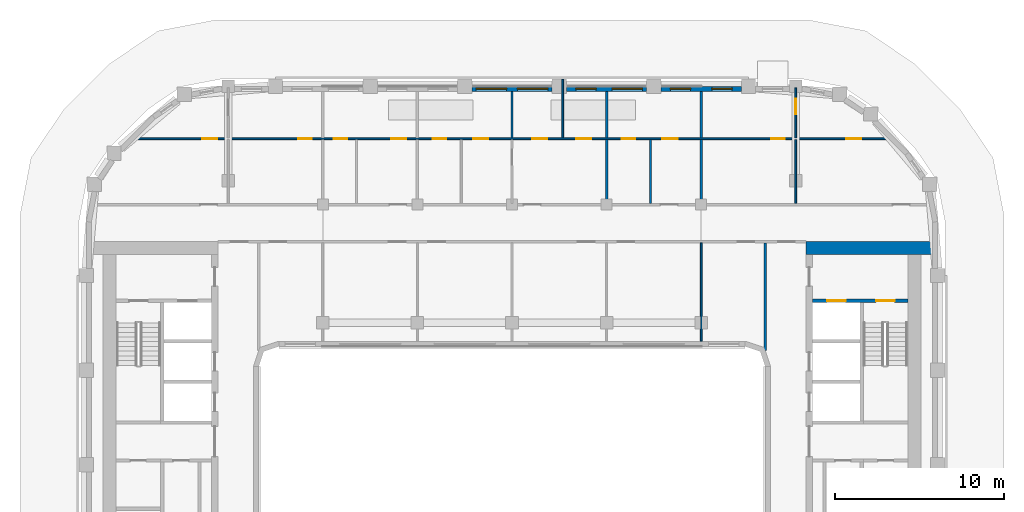
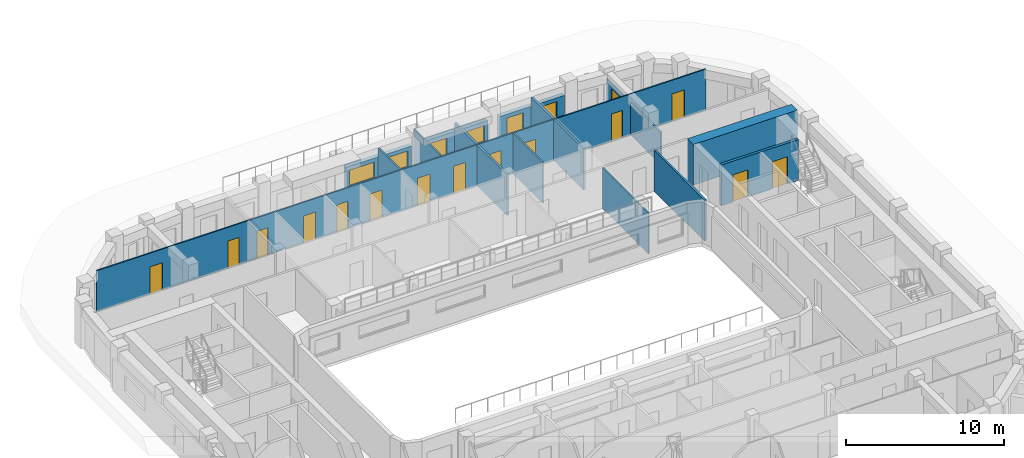
# One storey, part 8 of 16: 17 walls, 15 doors, 6 windows, 21 openings.
"""IFC4 building model written with IfcOpenShell, lengths in metres."""

from ifc_helpers import new_model, si_unit, direction, frame, frame_2d, origin, place, context, subcontext, project, spatial, rectangle, extrude, material, layer, layer_set, type_object, element, fill, save


model = new_model("IFC4")

# Units and contexts
model_context = context("Model", 3, precision=1e-05, world=origin(), true_north=direction((0.0, 1.0)))
body_context = subcontext(model_context, "Body", "Model", "MODEL_VIEW")
ifc_project = project(units=[si_unit("LENGTHUNIT", "METRE"), si_unit("AREAUNIT", "SQUARE_METRE"), si_unit("VOLUMEUNIT", "CUBIC_METRE"), si_unit("PLANEANGLEUNIT", "RADIAN"), si_unit("MASSUNIT", "GRAM", prefix="KILO")], contexts=[model_context])

# Site, building, storey
site_placement = place(None, origin())
site = spatial("IfcSite", under=ifc_project, at=site_placement, CompositionType="ELEMENT")
building_placement = place(site_placement, origin())
building = spatial("IfcBuilding", under=site, at=building_placement, Name="Kiln Ring Residences", CompositionType="ELEMENT")
storey_placement = place(building_placement, frame((0.0, 0.0, 227.39990234375)))
storey = spatial("IfcBuildingStorey", under=building, at=storey_placement, Name="L59", CompositionType="ELEMENT", Elevation=227.39990234375)

# Wall, openings, doors
ifc_material_1 = material(Name="Concrete C40/50", Category="concrete")
ifc_layer_1 = layer(ifc_material_1, 0.199951171875)
ifc_layer_set_1 = layer_set([ifc_layer_1], Name="CORE-WALL-RC200")
wall_type_1 = type_object("IfcWallType", Name="CORE-WALL-RC200", PredefinedType="SHEAR", material=ifc_layer_set_1)
wall_1_placement = place(storey_placement, frame((17.800048828125, 9.699951171875, 0.0), z_axis=(0.0, 0.0, 1.0), x_axis=(1.0, 0.0, 0.0)))
wall_1 = element("IfcWall", 1, at=wall_1_placement, inside=storey, type_object=wall_type_1, Name="Core wall east L59 9", PredefinedType="SHEAR", context=body_context, shape_type="SweptSolid", body=[
    extrude(rectangle(XDim=5.64990234375, YDim=0.199951171875, at=frame_2d((2.824951171875, 0.0))), origin(), (0.0, 0.0, 1.0), 3.150146484375),
])
opening_1_placement = place(wall_1_placement, frame((0.85009765625, 0.0, 0.0)))
opening_1 = element("IfcOpeningElement", 2, at=opening_1_placement, cuts=wall_1, Name="Opening L59-CE06", PredefinedType="OPENING", context=body_context, shape_type="SweptSolid", body=[
    extrude(rectangle(XDim=1.10009765625, YDim=2.10009765625, at=frame_2d((0.550048828125, 1.050048828125))), frame((0.0, 0.10986328125, 0.0), z_axis=(0.0, -1.0, 0.0), x_axis=(1.0, 0.0, 0.0)), (0.0, 0.0, 1.0), 0.219970703125),
])
opening_2_placement = place(wall_1_placement, frame((3.75, 0.0, 0.0)))
opening_2 = element("IfcOpeningElement", 3, at=opening_2_placement, cuts=wall_1, Name="Opening L59-CE09", PredefinedType="OPENING", context=body_context, shape_type="SweptSolid", body=[
    extrude(rectangle(XDim=1.10009765625, YDim=2.10009765625, at=frame_2d((0.550048828125, 1.050048828125))), frame((0.0, 0.10986328125, 0.0), z_axis=(0.0, -1.0, 0.0), x_axis=(1.0, 0.0, 0.0)), (0.0, 0.0, 1.0), 0.219970703125),
])
ifc_material_2 = material(Name="Steel door leaf", Category="steel")
door_type_1 = type_object("IfcDoorType", Name="CORE-DOOR-LD", OperationType="DOUBLE_DOOR_SLIDING", PredefinedType="DOOR", material=ifc_material_2)
door_1_placement = place(opening_1_placement, origin())
door_1 = element("IfcDoor", 4, at=door_1_placement, inside=storey, type_object=door_type_1, Name="LD E-FF L59-CE06", OperationType="DOUBLE_DOOR_SLIDING", OverallHeight=2.10009765625, OverallWidth=1.10009765625, PredefinedType="DOOR", context=body_context, shape_type="SweptSolid", body=[
    extrude(rectangle(XDim=1.10009765625, YDim=2.10009765625, at=frame_2d((0.550048828125, 1.050048828125))), frame((0.0, 0.02490234375, 0.0), z_axis=(0.0, -1.0, 0.0), x_axis=(1.0, 0.0, 0.0)), (0.0, 0.0, 1.0), 0.050048828125),
])
fill(opening_1, door_1)
ifc_material_3 = material(Name="Steel door leaf", Category="steel")
door_type_2 = type_object("IfcDoorType", Name="CORE-DOOR-STAIR", OperationType="SINGLE_SWING_LEFT", PredefinedType="DOOR", material=ifc_material_3)
door_2_placement = place(opening_2_placement, origin())
door_2 = element("IfcDoor", 5, at=door_2_placement, inside=storey, type_object=door_type_2, Name="Stair E-STN L59-CE09", OperationType="SINGLE_SWING_RIGHT", OverallHeight=2.10009765625, OverallWidth=1.10009765625, PredefinedType="DOOR", context=body_context, shape_type="SweptSolid", body=[
    extrude(rectangle(XDim=1.10009765625, YDim=2.10009765625, at=frame_2d((0.550048828125, 1.050048828125))), frame((0.0, 0.02490234375, 0.0), z_axis=(0.0, -1.0, 0.0), x_axis=(1.0, 0.0, 0.0)), (0.0, 0.0, 1.0), 0.050048828125),
])
fill(opening_2, door_2)

# Wall
ifc_material_4 = material(Name="Concrete C60/75", Category="concrete")
ifc_layer_2 = layer(ifc_material_4, 0.75)
ifc_layer_set_2 = layer_set([ifc_layer_2], Name="CORE-WALL-RC750")
wall_type_2 = type_object("IfcWallType", Name="CORE-WALL-RC750", PredefinedType="SHEAR", material=ifc_layer_set_2)
wall_2_placement = place(storey_placement, frame((17.39990234375, 12.824951171875, 0.0), z_axis=(0.0, 0.0, 1.0), x_axis=(1.0, 0.0, 0.0)))
element("IfcWall", 6, at=wall_2_placement, inside=storey, type_object=wall_type_2, Name="Core wall east L59 4", PredefinedType="SHEAR", context=body_context, shape_type="SweptSolid", body=[
    extrude(rectangle(XDim=7.60009765625, YDim=0.75, at=frame_2d((3.800048828125, 0.0))), origin(), (0.0, 0.0, 1.0), 3.150146484375),
])

# Wall, openings, windows
ifc_material_5 = material(Name="Brick masonry, dark clay brick", Category="masonry")
ifc_layer_3 = layer(ifc_material_5, 0.300048828125)
ifc_layer_set_3 = layer_set([ifc_layer_3], Name="EW-300 BRICK WALL")
wall_type_3 = type_object("IfcWallType", Name="EW-300 BRICK WALL", PredefinedType="SOLIDWALL", material=ifc_layer_set_3)
wall_3_placement = place(storey_placement, frame((13.574951171875, 22.25, 0.0), z_axis=(0.0, 0.0, 1.0), x_axis=(-1.0, 0.0, 0.0)))
wall_3 = element("IfcWall", 7, at=wall_3_placement, inside=storey, type_object=wall_type_3, Name="Facade wall L59 28", PredefinedType="SOLIDWALL", context=body_context, shape_type="SweptSolid", body=[
    extrude(rectangle(XDim=4.75, YDim=0.300048828125, at=frame_2d((2.375, 0.0))), origin(), (0.0, 0.0, 1.0), 2.4501953125),
])
opening_3_placement = place(wall_3_placement, frame((0.550048828125, 0.0, 0.60009765625)))
opening_3 = element("IfcOpeningElement", 8, at=opening_3_placement, cuts=wall_3, Name="Opening W1", PredefinedType="OPENING", context=body_context, shape_type="SweptSolid", body=[
    extrude(rectangle(XDim=1.199951171875, YDim=1.550048828125, at=frame_2d((0.60009765625, 0.77490234375))), frame((0.0, 0.159912109375, 0.0), z_axis=(0.0, -1.0, 0.0), x_axis=(1.0, 0.0, 0.0)), (0.0, 0.0, 1.0), 0.320068359375),
])
opening_4_placement = place(wall_3_placement, frame((3.0, 0.0, 0.60009765625)))
opening_4 = element("IfcOpeningElement", 9, at=opening_4_placement, cuts=wall_3, Name="Opening W1", PredefinedType="OPENING", context=body_context, shape_type="SweptSolid", body=[
    extrude(rectangle(XDim=1.199951171875, YDim=1.550048828125, at=frame_2d((0.60009765625, 0.77490234375))), frame((0.0, 0.159912109375, 0.0), z_axis=(0.0, -1.0, 0.0), x_axis=(1.0, 0.0, 0.0)), (0.0, 0.0, 1.0), 0.320068359375),
])
ifc_material_6 = material(Name="Aluminium frame with double glazing", Category="aluminium")
window_type_1 = type_object("IfcWindowType", Name="WINDOW 1200 x 1550", PartitioningType="SINGLE_PANEL", PredefinedType="WINDOW", material=ifc_material_6)
window_1_placement = place(opening_3_placement, origin())
window_1 = element("IfcWindow", 10, at=window_1_placement, inside=storey, type_object=window_type_1, Name="Window L59 21", OverallHeight=1.550048828125, OverallWidth=1.199951171875, PartitioningType="SINGLE_PANEL", PredefinedType="WINDOW", context=body_context, shape_type="SweptSolid", body=[
    extrude(rectangle(XDim=1.199951171875, YDim=1.550048828125, at=frame_2d((0.60009765625, 0.77490234375))), frame((0.0, 0.030029296875, 0.0), z_axis=(0.0, -1.0, 0.0), x_axis=(1.0, 0.0, 0.0)), (0.0, 0.0, 1.0), 0.06005859375),
])
fill(opening_3, window_1)
window_2_placement = place(opening_4_placement, origin())
window_2 = element("IfcWindow", 11, at=window_2_placement, inside=storey, type_object=window_type_1, Name="Window L59 22", OverallHeight=1.550048828125, OverallWidth=1.199951171875, PartitioningType="SINGLE_PANEL", PredefinedType="WINDOW", context=body_context, shape_type="SweptSolid", body=[
    extrude(rectangle(XDim=1.199951171875, YDim=1.550048828125, at=frame_2d((0.60009765625, 0.77490234375))), frame((0.0, 0.030029296875, 0.0), z_axis=(0.0, -1.0, 0.0), x_axis=(1.0, 0.0, 0.0)), (0.0, 0.0, 1.0), 0.06005859375),
])
fill(opening_4, window_2)

wall_4_placement = place(storey_placement, frame((7.97509765625, 22.25, 0.0), z_axis=(0.0, 0.0, 1.0), x_axis=(-1.0, 0.0, 0.0)))
wall_4 = element("IfcWall", 12, at=wall_4_placement, inside=storey, type_object=wall_type_3, Name="Facade wall L59 29", PredefinedType="SOLIDWALL", context=body_context, shape_type="SweptSolid", body=[
    extrude(rectangle(XDim=4.75, YDim=0.300048828125, at=frame_2d((2.375, 0.0))), origin(), (0.0, 0.0, 1.0), 2.4501953125),
])
opening_5_placement = place(wall_4_placement, frame((0.25, 0.0, 0.89990234375)))
opening_5 = element("IfcOpeningElement", 13, at=opening_5_placement, cuts=wall_4, Name="Opening W2", PredefinedType="OPENING", context=body_context, shape_type="SweptSolid", body=[
    extrude(rectangle(XDim=1.800048828125, YDim=1.25, at=frame_2d((0.89990234375, 0.625))), frame((0.0, 0.159912109375, 0.0), z_axis=(0.0, -1.0, 0.0), x_axis=(1.0, 0.0, 0.0)), (0.0, 0.0, 1.0), 0.320068359375),
])
opening_6_placement = place(wall_4_placement, frame((3.0, 0.0, 0.60009765625)))
opening_6 = element("IfcOpeningElement", 14, at=opening_6_placement, cuts=wall_4, Name="Opening W1", PredefinedType="OPENING", context=body_context, shape_type="SweptSolid", body=[
    extrude(rectangle(XDim=1.199951171875, YDim=1.550048828125, at=frame_2d((0.60009765625, 0.77490234375))), frame((0.0, 0.159912109375, 0.0), z_axis=(0.0, -1.0, 0.0), x_axis=(1.0, 0.0, 0.0)), (0.0, 0.0, 1.0), 0.320068359375),
])
window_3_placement = place(opening_6_placement, origin())
window_3 = element("IfcWindow", 15, at=window_3_placement, inside=storey, type_object=window_type_1, Name="Window L59 24", OverallHeight=1.550048828125, OverallWidth=1.199951171875, PartitioningType="SINGLE_PANEL", PredefinedType="WINDOW", context=body_context, shape_type="SweptSolid", body=[
    extrude(rectangle(XDim=1.199951171875, YDim=1.550048828125, at=frame_2d((0.60009765625, 0.77490234375))), frame((0.0, 0.030029296875, 0.0), z_axis=(0.0, -1.0, 0.0), x_axis=(1.0, 0.0, 0.0)), (0.0, 0.0, 1.0), 0.06005859375),
])
fill(opening_6, window_3)
ifc_material_7 = material(Name="Aluminium frame with double glazing", Category="aluminium")
window_type_2 = type_object("IfcWindowType", Name="WINDOW 1800 x 1250", PartitioningType="SINGLE_PANEL", PredefinedType="WINDOW", material=ifc_material_7)
window_4_placement = place(opening_5_placement, origin())
window_4 = element("IfcWindow", 16, at=window_4_placement, inside=storey, type_object=window_type_2, Name="Window L59 23", OverallHeight=1.25, OverallWidth=1.800048828125, PartitioningType="SINGLE_PANEL", PredefinedType="WINDOW", context=body_context, shape_type="SweptSolid", body=[
    extrude(rectangle(XDim=1.800048828125, YDim=1.25, at=frame_2d((0.89990234375, 0.625))), frame((0.0, 0.030029296875, 0.0), z_axis=(0.0, -1.0, 0.0), x_axis=(1.0, 0.0, 0.0)), (0.0, 0.0, 1.0), 0.06005859375),
])
fill(opening_5, window_4)

wall_5_placement = place(storey_placement, frame((2.375, 22.25, 0.0), z_axis=(0.0, 0.0, 1.0), x_axis=(-1.0, 0.0, 0.0)))
wall_5 = element("IfcWall", 17, at=wall_5_placement, inside=storey, type_object=wall_type_3, Name="Facade wall L59 30", PredefinedType="SOLIDWALL", context=body_context, shape_type="SweptSolid", body=[
    extrude(rectangle(XDim=4.75, YDim=0.300048828125, at=frame_2d((2.375, 0.0))), origin(), (0.0, 0.0, 1.0), 2.4501953125),
])
opening_7_placement = place(wall_5_placement, frame((0.25, 0.0, 0.89990234375)))
opening_7 = element("IfcOpeningElement", 18, at=opening_7_placement, cuts=wall_5, Name="Opening W2", PredefinedType="OPENING", context=body_context, shape_type="SweptSolid", body=[
    extrude(rectangle(XDim=1.800048828125, YDim=1.25, at=frame_2d((0.89990234375, 0.625))), frame((0.0, 0.159912109375, 0.0), z_axis=(0.0, -1.0, 0.0), x_axis=(1.0, 0.0, 0.0)), (0.0, 0.0, 1.0), 0.320068359375),
])
opening_8_placement = place(wall_5_placement, frame((2.699951171875, 0.0, 0.89990234375)))
opening_8 = element("IfcOpeningElement", 19, at=opening_8_placement, cuts=wall_5, Name="Opening W2", PredefinedType="OPENING", context=body_context, shape_type="SweptSolid", body=[
    extrude(rectangle(XDim=1.800048828125, YDim=1.25, at=frame_2d((0.89990234375, 0.625))), frame((0.0, 0.159912109375, 0.0), z_axis=(0.0, -1.0, 0.0), x_axis=(1.0, 0.0, 0.0)), (0.0, 0.0, 1.0), 0.320068359375),
])
window_5_placement = place(opening_7_placement, origin())
window_5 = element("IfcWindow", 20, at=window_5_placement, inside=storey, type_object=window_type_2, Name="Window L59 25", OverallHeight=1.25, OverallWidth=1.800048828125, PartitioningType="SINGLE_PANEL", PredefinedType="WINDOW", context=body_context, shape_type="SweptSolid", body=[
    extrude(rectangle(XDim=1.800048828125, YDim=1.25, at=frame_2d((0.89990234375, 0.625))), frame((0.0, 0.030029296875, 0.0), z_axis=(0.0, -1.0, 0.0), x_axis=(1.0, 0.0, 0.0)), (0.0, 0.0, 1.0), 0.06005859375),
])
fill(opening_7, window_5)
window_6_placement = place(opening_8_placement, origin())
window_6 = element("IfcWindow", 21, at=window_6_placement, inside=storey, type_object=window_type_2, Name="Window L59 26", OverallHeight=1.25, OverallWidth=1.800048828125, PartitioningType="SINGLE_PANEL", PredefinedType="WINDOW", context=body_context, shape_type="SweptSolid", body=[
    extrude(rectangle(XDim=1.800048828125, YDim=1.25, at=frame_2d((0.89990234375, 0.625))), frame((0.0, 0.030029296875, 0.0), z_axis=(0.0, -1.0, 0.0), x_axis=(1.0, 0.0, 0.0)), (0.0, 0.0, 1.0), 0.06005859375),
])
fill(opening_8, window_6)

# Wall, openings, doors
ifc_material_8 = material(Name="Gypsum board on steel studs", Category="steel")
ifc_layer_4 = layer(ifc_material_8, 0.10009765625)
ifc_layer_set_4 = layer_set([ifc_layer_4], Name="PARTITION-100")
wall_type_4 = type_object("IfcWallType", Name="PARTITION-100", PredefinedType="PARTITIONING", material=ifc_layer_set_4)
wall_6_placement = place(storey_placement, frame((-22.255615234375, 19.300048828125, 0.0), z_axis=(0.0, 0.0, 1.0), x_axis=(1.0, 0.0, 0.0)))
wall_6 = element("IfcWall", 22, at=wall_6_placement, inside=storey, type_object=wall_type_4, Name="Partition 006", PredefinedType="PARTITIONING", context=body_context, shape_type="SweptSolid", body=[
    extrude(rectangle(XDim=44.51123046875, YDim=0.10009765625, at=frame_2d((22.255615234375, 0.0))), origin(), (0.0, 0.0, 1.0), 3.150146484375),
])
opening_9_placement = place(wall_6_placement, frame((9.605712890625, 0.0, 0.0)))
opening_9 = element("IfcOpeningElement", 23, at=opening_9_placement, cuts=wall_6, Name="Opening L59-D012", PredefinedType="OPENING", context=body_context, shape_type="SweptSolid", body=[
    extrude(rectangle(XDim=0.800048828125, YDim=2.10009765625, at=frame_2d((0.39990234375, 1.050048828125))), frame((0.0, 0.06005859375, 0.0), z_axis=(0.0, -1.0, 0.0), x_axis=(1.0, 0.0, 0.0)), (0.0, 0.0, 1.0), 0.1201171875),
])
opening_10_placement = place(wall_6_placement, frame((3.90576171875, 0.0, 0.0)))
opening_10 = element("IfcOpeningElement", 24, at=opening_10_placement, cuts=wall_6, Name="Opening L59-D013", PredefinedType="OPENING", context=body_context, shape_type="SweptSolid", body=[
    extrude(rectangle(XDim=0.89990234375, YDim=2.10009765625, at=frame_2d((0.449951171875, 1.050048828125))), frame((0.0, 0.06005859375, 0.0), z_axis=(0.0, -1.0, 0.0), x_axis=(1.0, 0.0, 0.0)), (0.0, 0.0, 1.0), 0.1201171875),
])
opening_11_placement = place(wall_6_placement, frame((11.705810546875, 0.0, 0.0)))
opening_11 = element("IfcOpeningElement", 25, at=opening_11_placement, cuts=wall_6, Name="Opening L59-D016", PredefinedType="OPENING", context=body_context, shape_type="SweptSolid", body=[
    extrude(rectangle(XDim=0.800048828125, YDim=2.10009765625, at=frame_2d((0.39990234375, 1.050048828125))), frame((0.0, 0.06005859375, 0.0), z_axis=(0.0, -1.0, 0.0), x_axis=(1.0, 0.0, 0.0)), (0.0, 0.0, 1.0), 0.1201171875),
])
opening_12_placement = place(wall_6_placement, frame((15.105712890625, 0.0, 0.0)))
opening_12 = element("IfcOpeningElement", 26, at=opening_12_placement, cuts=wall_6, Name="Opening L59-D017", PredefinedType="OPENING", context=body_context, shape_type="SweptSolid", body=[
    extrude(rectangle(XDim=0.89990234375, YDim=2.10009765625, at=frame_2d((0.449951171875, 1.050048828125))), frame((0.0, 0.06005859375, 0.0), z_axis=(0.0, -1.0, 0.0), x_axis=(1.0, 0.0, 0.0)), (0.0, 0.0, 1.0), 0.1201171875),
])
opening_13_placement = place(wall_6_placement, frame((17.5556640625, 0.0, 0.0)))
opening_13 = element("IfcOpeningElement", 27, at=opening_13_placement, cuts=wall_6, Name="Opening L59-D020", PredefinedType="OPENING", context=body_context, shape_type="SweptSolid", body=[
    extrude(rectangle(XDim=0.800048828125, YDim=2.10009765625, at=frame_2d((0.39990234375, 1.050048828125))), frame((0.0, 0.06005859375, 0.0), z_axis=(0.0, -1.0, 0.0), x_axis=(1.0, 0.0, 0.0)), (0.0, 0.0, 1.0), 0.1201171875),
])
opening_14_placement = place(wall_6_placement, frame((19.955810546875, 0.0, 0.0)))
opening_14 = element("IfcOpeningElement", 28, at=opening_14_placement, cuts=wall_6, Name="Opening L59-D021", PredefinedType="OPENING", context=body_context, shape_type="SweptSolid", body=[
    extrude(rectangle(XDim=0.89990234375, YDim=2.10009765625, at=frame_2d((0.449951171875, 1.050048828125))), frame((0.0, 0.06005859375, 0.0), z_axis=(0.0, -1.0, 0.0), x_axis=(1.0, 0.0, 0.0)), (0.0, 0.0, 1.0), 0.1201171875),
])
opening_15_placement = place(wall_6_placement, frame((23.455810546875, 0.0, 0.0)))
opening_15 = element("IfcOpeningElement", 29, at=opening_15_placement, cuts=wall_6, Name="Opening L59-D022", PredefinedType="OPENING", context=body_context, shape_type="SweptSolid", body=[
    extrude(rectangle(XDim=0.89990234375, YDim=2.10009765625, at=frame_2d((0.449951171875, 1.050048828125))), frame((0.0, 0.06005859375, 0.0), z_axis=(0.0, -1.0, 0.0), x_axis=(1.0, 0.0, 0.0)), (0.0, 0.0, 1.0), 0.1201171875),
])
opening_16_placement = place(wall_6_placement, frame((26.0556640625, 0.0, 0.0)))
opening_16 = element("IfcOpeningElement", 30, at=opening_16_placement, cuts=wall_6, Name="Opening L59-D023", PredefinedType="OPENING", context=body_context, shape_type="SweptSolid", body=[
    extrude(rectangle(XDim=0.89990234375, YDim=2.10009765625, at=frame_2d((0.449951171875, 1.050048828125))), frame((0.0, 0.06005859375, 0.0), z_axis=(0.0, -1.0, 0.0), x_axis=(1.0, 0.0, 0.0)), (0.0, 0.0, 1.0), 0.1201171875),
])
opening_17_placement = place(wall_6_placement, frame((28.755615234375, 0.0, 0.0)))
opening_17 = element("IfcOpeningElement", 31, at=opening_17_placement, cuts=wall_6, Name="Opening L59-D025", PredefinedType="OPENING", context=body_context, shape_type="SweptSolid", body=[
    extrude(rectangle(XDim=0.800048828125, YDim=2.10009765625, at=frame_2d((0.39990234375, 1.050048828125))), frame((0.0, 0.06005859375, 0.0), z_axis=(0.0, -1.0, 0.0), x_axis=(1.0, 0.0, 0.0)), (0.0, 0.0, 1.0), 0.1201171875),
])
opening_18_placement = place(wall_6_placement, frame((31.15576171875, 0.0, 0.0)))
opening_18 = element("IfcOpeningElement", 32, at=opening_18_placement, cuts=wall_6, Name="Opening L59-D026", PredefinedType="OPENING", context=body_context, shape_type="SweptSolid", body=[
    extrude(rectangle(XDim=0.89990234375, YDim=2.10009765625, at=frame_2d((0.449951171875, 1.050048828125))), frame((0.0, 0.06005859375, 0.0), z_axis=(0.0, -1.0, 0.0), x_axis=(1.0, 0.0, 0.0)), (0.0, 0.0, 1.0), 0.1201171875),
])
opening_19_placement = place(wall_6_placement, frame((37.605712890625, 0.0, 0.0)))
opening_19 = element("IfcOpeningElement", 33, at=opening_19_placement, cuts=wall_6, Name="Opening L59-D028", PredefinedType="OPENING", context=body_context, shape_type="SweptSolid", body=[
    extrude(rectangle(XDim=0.800048828125, YDim=2.10009765625, at=frame_2d((0.39990234375, 1.050048828125))), frame((0.0, 0.06005859375, 0.0), z_axis=(0.0, -1.0, 0.0), x_axis=(1.0, 0.0, 0.0)), (0.0, 0.0, 1.0), 0.1201171875),
])
opening_20_placement = place(wall_6_placement, frame((42.027587890625, 0.0, 0.0)))
opening_20 = element("IfcOpeningElement", 34, at=opening_20_placement, cuts=wall_6, Name="Opening L59-D029", PredefinedType="OPENING", context=body_context, shape_type="SweptSolid", body=[
    extrude(rectangle(XDim=0.89990234375, YDim=2.10009765625, at=frame_2d((0.449951171875, 1.050048828125))), frame((0.0, 0.06005859375, 0.0), z_axis=(0.0, -1.0, 0.0), x_axis=(1.0, 0.0, 0.0)), (0.0, 0.0, 1.0), 0.1201171875),
])
ifc_material_9 = material(Name="Timber door leaf", Category="wood")
door_type_3 = type_object("IfcDoorType", Name="FLAT-DOOR-800-PL", OperationType="SINGLE_SWING_LEFT", PredefinedType="DOOR", material=ifc_material_9)
door_3_placement = place(opening_9_placement, origin())
door_3 = element("IfcDoor", 35, at=door_3_placement, inside=storey, type_object=door_type_3, Name="Door L59-D012", OperationType="SINGLE_SWING_RIGHT", OverallHeight=2.10009765625, OverallWidth=0.800048828125, PredefinedType="DOOR", context=body_context, shape_type="SweptSolid", body=[
    extrude(rectangle(XDim=0.800048828125, YDim=2.10009765625, at=frame_2d((0.39990234375, 1.050048828125))), frame((0.0, 0.02490234375, 0.0), z_axis=(0.0, -1.0, 0.0), x_axis=(1.0, 0.0, 0.0)), (0.0, 0.0, 1.0), 0.050048828125),
])
fill(opening_9, door_3)
door_4_placement = place(opening_11_placement, origin())
door_4 = element("IfcDoor", 36, at=door_4_placement, inside=storey, type_object=door_type_3, Name="Door L59-D016", OperationType="SINGLE_SWING_RIGHT", OverallHeight=2.10009765625, OverallWidth=0.800048828125, PredefinedType="DOOR", context=body_context, shape_type="SweptSolid", body=[
    extrude(rectangle(XDim=0.800048828125, YDim=2.10009765625, at=frame_2d((0.39990234375, 1.050048828125))), frame((0.0, 0.02490234375, 0.0), z_axis=(0.0, -1.0, 0.0), x_axis=(1.0, 0.0, 0.0)), (0.0, 0.0, 1.0), 0.050048828125),
])
fill(opening_11, door_4)
door_5_placement = place(opening_13_placement, origin())
door_5 = element("IfcDoor", 37, at=door_5_placement, inside=storey, type_object=door_type_3, Name="Door L59-D020", OperationType="SINGLE_SWING_RIGHT", OverallHeight=2.10009765625, OverallWidth=0.800048828125, PredefinedType="DOOR", context=body_context, shape_type="SweptSolid", body=[
    extrude(rectangle(XDim=0.800048828125, YDim=2.10009765625, at=frame_2d((0.39990234375, 1.050048828125))), frame((0.0, 0.02490234375, 0.0), z_axis=(0.0, -1.0, 0.0), x_axis=(1.0, 0.0, 0.0)), (0.0, 0.0, 1.0), 0.050048828125),
])
fill(opening_13, door_5)
door_6_placement = place(opening_17_placement, origin())
door_6 = element("IfcDoor", 38, at=door_6_placement, inside=storey, type_object=door_type_3, Name="Door L59-D025", OperationType="SINGLE_SWING_LEFT", OverallHeight=2.10009765625, OverallWidth=0.800048828125, PredefinedType="DOOR", context=body_context, shape_type="SweptSolid", body=[
    extrude(rectangle(XDim=0.800048828125, YDim=2.10009765625, at=frame_2d((0.39990234375, 1.050048828125))), frame((0.0, 0.02490234375, 0.0), z_axis=(0.0, -1.0, 0.0), x_axis=(1.0, 0.0, 0.0)), (0.0, 0.0, 1.0), 0.050048828125),
])
fill(opening_17, door_6)
door_7_placement = place(opening_19_placement, origin())
door_7 = element("IfcDoor", 39, at=door_7_placement, inside=storey, type_object=door_type_3, Name="Door L59-D028", OperationType="SINGLE_SWING_RIGHT", OverallHeight=2.10009765625, OverallWidth=0.800048828125, PredefinedType="DOOR", context=body_context, shape_type="SweptSolid", body=[
    extrude(rectangle(XDim=0.800048828125, YDim=2.10009765625, at=frame_2d((0.39990234375, 1.050048828125))), frame((0.0, 0.02490234375, 0.0), z_axis=(0.0, -1.0, 0.0), x_axis=(1.0, 0.0, 0.0)), (0.0, 0.0, 1.0), 0.050048828125),
])
fill(opening_19, door_7)
ifc_material_10 = material(Name="Timber door leaf", Category="wood")
door_type_4 = type_object("IfcDoorType", Name="FLAT-DOOR-900-PL", OperationType="SINGLE_SWING_LEFT", PredefinedType="DOOR", material=ifc_material_10)
door_8_placement = place(opening_10_placement, origin())
door_8 = element("IfcDoor", 40, at=door_8_placement, inside=storey, type_object=door_type_4, Name="Door L59-D013", OperationType="SINGLE_SWING_LEFT", OverallHeight=2.10009765625, OverallWidth=0.89990234375, PredefinedType="DOOR", context=body_context, shape_type="SweptSolid", body=[
    extrude(rectangle(XDim=0.89990234375, YDim=2.10009765625, at=frame_2d((0.449951171875, 1.050048828125))), frame((0.0, 0.02490234375, 0.0), z_axis=(0.0, -1.0, 0.0), x_axis=(1.0, 0.0, 0.0)), (0.0, 0.0, 1.0), 0.050048828125),
])
fill(opening_10, door_8)
door_9_placement = place(opening_12_placement, origin())
door_9 = element("IfcDoor", 41, at=door_9_placement, inside=storey, type_object=door_type_4, Name="Door L59-D017", OperationType="SINGLE_SWING_LEFT", OverallHeight=2.10009765625, OverallWidth=0.89990234375, PredefinedType="DOOR", context=body_context, shape_type="SweptSolid", body=[
    extrude(rectangle(XDim=0.89990234375, YDim=2.10009765625, at=frame_2d((0.449951171875, 1.050048828125))), frame((0.0, 0.02490234375, 0.0), z_axis=(0.0, -1.0, 0.0), x_axis=(1.0, 0.0, 0.0)), (0.0, 0.0, 1.0), 0.050048828125),
])
fill(opening_12, door_9)
door_10_placement = place(opening_14_placement, origin())
door_10 = element("IfcDoor", 42, at=door_10_placement, inside=storey, type_object=door_type_4, Name="Door L59-D021", OperationType="SINGLE_SWING_RIGHT", OverallHeight=2.10009765625, OverallWidth=0.89990234375, PredefinedType="DOOR", context=body_context, shape_type="SweptSolid", body=[
    extrude(rectangle(XDim=0.89990234375, YDim=2.10009765625, at=frame_2d((0.449951171875, 1.050048828125))), frame((0.0, 0.02490234375, 0.0), z_axis=(0.0, -1.0, 0.0), x_axis=(1.0, 0.0, 0.0)), (0.0, 0.0, 1.0), 0.050048828125),
])
fill(opening_14, door_10)
door_11_placement = place(opening_15_placement, origin())
door_11 = element("IfcDoor", 43, at=door_11_placement, inside=storey, type_object=door_type_4, Name="Door L59-D022", OperationType="SINGLE_SWING_RIGHT", OverallHeight=2.10009765625, OverallWidth=0.89990234375, PredefinedType="DOOR", context=body_context, shape_type="SweptSolid", body=[
    extrude(rectangle(XDim=0.89990234375, YDim=2.10009765625, at=frame_2d((0.449951171875, 1.050048828125))), frame((0.0, 0.02490234375, 0.0), z_axis=(0.0, -1.0, 0.0), x_axis=(1.0, 0.0, 0.0)), (0.0, 0.0, 1.0), 0.050048828125),
])
fill(opening_15, door_11)
door_12_placement = place(opening_16_placement, origin())
door_12 = element("IfcDoor", 44, at=door_12_placement, inside=storey, type_object=door_type_4, Name="Door L59-D023", OperationType="SINGLE_SWING_LEFT", OverallHeight=2.10009765625, OverallWidth=0.89990234375, PredefinedType="DOOR", context=body_context, shape_type="SweptSolid", body=[
    extrude(rectangle(XDim=0.89990234375, YDim=2.10009765625, at=frame_2d((0.449951171875, 1.050048828125))), frame((0.0, 0.02490234375, 0.0), z_axis=(0.0, -1.0, 0.0), x_axis=(1.0, 0.0, 0.0)), (0.0, 0.0, 1.0), 0.050048828125),
])
fill(opening_16, door_12)
door_13_placement = place(opening_18_placement, origin())
door_13 = element("IfcDoor", 45, at=door_13_placement, inside=storey, type_object=door_type_4, Name="Door L59-D026", OperationType="SINGLE_SWING_RIGHT", OverallHeight=2.10009765625, OverallWidth=0.89990234375, PredefinedType="DOOR", context=body_context, shape_type="SweptSolid", body=[
    extrude(rectangle(XDim=0.89990234375, YDim=2.10009765625, at=frame_2d((0.449951171875, 1.050048828125))), frame((0.0, 0.02490234375, 0.0), z_axis=(0.0, -1.0, 0.0), x_axis=(1.0, 0.0, 0.0)), (0.0, 0.0, 1.0), 0.050048828125),
])
fill(opening_18, door_13)
door_14_placement = place(opening_20_placement, origin())
door_14 = element("IfcDoor", 46, at=door_14_placement, inside=storey, type_object=door_type_4, Name="Door L59-D029", OperationType="SINGLE_SWING_LEFT", OverallHeight=2.10009765625, OverallWidth=0.89990234375, PredefinedType="DOOR", context=body_context, shape_type="SweptSolid", body=[
    extrude(rectangle(XDim=0.89990234375, YDim=2.10009765625, at=frame_2d((0.449951171875, 1.050048828125))), frame((0.0, 0.02490234375, 0.0), z_axis=(0.0, -1.0, 0.0), x_axis=(1.0, 0.0, 0.0)), (0.0, 0.0, 1.0), 0.050048828125),
])
fill(opening_20, door_14)

# Walls
wall_7_placement = place(storey_placement, frame((0.0, 19.35009765625, 0.0), z_axis=(0.0, 0.0, 1.0), x_axis=(0.0, 1.0, 0.0)))
element("IfcWall", 47, at=wall_7_placement, inside=storey, type_object=wall_type_4, Name="Partition 037", PredefinedType="PARTITIONING", context=body_context, shape_type="SweptSolid", body=[
    extrude(rectangle(XDim=2.72998046875, YDim=0.10009765625, at=frame_2d((1.364990234375, 0.0))), origin(), (0.0, 0.0, 1.0), 3.150146484375),
])
wall_8_placement = place(storey_placement, frame((3.0, 19.35009765625, 0.0), z_axis=(0.0, 0.0, 1.0), x_axis=(0.0, 1.0, 0.0)))
element("IfcWall", 48, at=wall_8_placement, inside=storey, type_object=wall_type_4, Name="Partition 043", PredefinedType="PARTITIONING", context=body_context, shape_type="SweptSolid", body=[
    extrude(rectangle(XDim=3.454833984375, YDim=0.10009765625, at=frame_2d((1.7275390625, 0.0))), origin(), (0.0, 0.0, 1.0), 3.150146484375),
])
wall_9_placement = place(storey_placement, frame((8.199951171875, 15.47509765625, 0.0), z_axis=(0.0, 0.0, 1.0), x_axis=(0.0, 1.0, 0.0)))
element("IfcWall", 49, at=wall_9_placement, inside=storey, type_object=wall_type_4, Name="Partition 051", PredefinedType="PARTITIONING", context=body_context, shape_type="SweptSolid", body=[
    extrude(rectangle(XDim=3.77490234375, YDim=0.10009765625, at=frame_2d((1.887451171875, 0.0))), origin(), (0.0, 0.0, 1.0), 3.150146484375),
])
wall_10_placement = place(storey_placement, frame((11.199951171875, 7.320068359375, 0.0), z_axis=(0.0, 0.0, 1.0), x_axis=(0.0, 1.0, 0.0)))
element("IfcWall", 50, at=wall_10_placement, inside=storey, type_object=wall_type_4, Name="Partition 056", PredefinedType="PARTITIONING", context=body_context, shape_type="SweptSolid", body=[
    extrude(rectangle(XDim=5.804931640625, YDim=0.10009765625, at=frame_2d((2.90234375, 0.0))), origin(), (0.0, 0.0, 1.0), 3.150146484375),
])
wall_11_placement = place(storey_placement, frame((16.800048828125, 15.47509765625, 0.0), z_axis=(0.0, 0.0, 1.0), x_axis=(0.0, 1.0, 0.0)))
element("IfcWall", 51, at=wall_11_placement, inside=storey, type_object=wall_type_4, Name="Partition 061", PredefinedType="PARTITIONING", context=body_context, shape_type="SweptSolid", body=[
    extrude(rectangle(XDim=3.77490234375, YDim=0.10009765625, at=frame_2d((1.887451171875, 0.0))), origin(), (0.0, 0.0, 1.0), 2.5),
])

# Wall, opening, door
wall_12_placement = place(storey_placement, frame((16.800048828125, 19.35009765625, 0.0), z_axis=(0.0, 0.0, 1.0), x_axis=(0.0, 1.0, 0.0)))
wall_12 = element("IfcWall", 52, at=wall_12_placement, inside=storey, type_object=wall_type_4, Name="Partition 062", PredefinedType="PARTITIONING", context=body_context, shape_type="SweptSolid", body=[
    extrude(rectangle(XDim=2.9599609375, YDim=0.10009765625, at=frame_2d((1.47998046875, 0.0))), origin(), (0.0, 0.0, 1.0), 2.5),
])
opening_21_placement = place(wall_12_placement, frame((1.409912109375, 0.0, 0.0)))
opening_21 = element("IfcOpeningElement", 53, at=opening_21_placement, cuts=wall_12, Name="Opening L59-D030", PredefinedType="OPENING", context=body_context, shape_type="SweptSolid", body=[
    extrude(rectangle(XDim=0.89990234375, YDim=2.10009765625, at=frame_2d((0.449951171875, 1.050048828125))), frame((0.0, 0.06005859375, 0.0), z_axis=(0.0, -1.0, 0.0), x_axis=(1.0, 0.0, 0.0)), (0.0, 0.0, 1.0), 0.1201171875),
])
door_15_placement = place(opening_21_placement, origin())
door_15 = element("IfcDoor", 54, at=door_15_placement, inside=storey, type_object=door_type_4, Name="Door L59-D030", OperationType="SINGLE_SWING_LEFT", OverallHeight=2.10009765625, OverallWidth=0.89990234375, PredefinedType="DOOR", context=body_context, shape_type="SweptSolid", body=[
    extrude(rectangle(XDim=0.89990234375, YDim=2.10009765625, at=frame_2d((0.449951171875, 1.050048828125))), frame((0.0, 0.02490234375, 0.0), z_axis=(0.0, -1.0, 0.0), x_axis=(1.0, 0.0, 0.0)), (0.0, 0.0, 1.0), 0.050048828125),
])
fill(opening_21, door_15)

# Walls
ifc_material_11 = material(Name="Brick masonry partition", Category="masonry")
ifc_layer_5 = layer(ifc_material_11, 0.14990234375)
ifc_layer_set_5 = layer_set([ifc_layer_5], Name="PARTITION-150-ei60")
wall_type_5 = type_object("IfcWallType", Name="PARTITION-150-ei60", PredefinedType="PARTITIONING", material=ifc_layer_set_5)
wall_13_placement = place(storey_placement, frame((5.60009765625, 15.47509765625, 0.0), z_axis=(0.0, 0.0, 1.0), x_axis=(0.0, 1.0, 0.0)))
element("IfcWall", 55, at=wall_13_placement, inside=storey, type_object=wall_type_5, Name="Partition 049", PredefinedType="PARTITIONING", context=body_context, shape_type="SweptSolid", body=[
    extrude(rectangle(XDim=3.77490234375, YDim=0.14990234375, at=frame_2d((1.887451171875, 0.0))), origin(), (0.0, 0.0, 1.0), 3.150146484375),
])
wall_14_placement = place(storey_placement, frame((5.60009765625, 19.35009765625, 0.0), z_axis=(0.0, 0.0, 1.0), x_axis=(0.0, 1.0, 0.0)))
element("IfcWall", 56, at=wall_14_placement, inside=storey, type_object=wall_type_5, Name="Partition 050", PredefinedType="PARTITIONING", context=body_context, shape_type="SweptSolid", body=[
    extrude(rectangle(XDim=2.72998046875, YDim=0.14990234375, at=frame_2d((1.364990234375, 0.0))), origin(), (0.0, 0.0, 1.0), 3.150146484375),
])
wall_15_placement = place(storey_placement, frame((11.199951171875, 15.47509765625, 0.0), z_axis=(0.0, 0.0, 1.0), x_axis=(0.0, 1.0, 0.0)))
element("IfcWall", 57, at=wall_15_placement, inside=storey, type_object=wall_type_5, Name="Partition 057", PredefinedType="PARTITIONING", context=body_context, shape_type="SweptSolid", body=[
    extrude(rectangle(XDim=3.77490234375, YDim=0.14990234375, at=frame_2d((1.887451171875, 0.0))), origin(), (0.0, 0.0, 1.0), 3.150146484375),
])
wall_16_placement = place(storey_placement, frame((11.199951171875, 19.35009765625, 0.0), z_axis=(0.0, 0.0, 1.0), x_axis=(0.0, 1.0, 0.0)))
element("IfcWall", 58, at=wall_16_placement, inside=storey, type_object=wall_type_5, Name="Partition 058", PredefinedType="PARTITIONING", context=body_context, shape_type="SweptSolid", body=[
    extrude(rectangle(XDim=2.72998046875, YDim=0.14990234375, at=frame_2d((1.364990234375, 0.0))), origin(), (0.0, 0.0, 1.0), 3.150146484375),
])
wall_17_placement = place(storey_placement, frame((15.0, 6.768798828125, 0.0), z_axis=(0.0, 0.0, 1.0), x_axis=(0.0, 1.0, 0.0)))
element("IfcWall", 59, at=wall_17_placement, inside=storey, type_object=wall_type_5, Name="Partition 060", PredefinedType="PARTITIONING", context=body_context, shape_type="SweptSolid", body=[
    extrude(rectangle(XDim=6.356201171875, YDim=0.14990234375, at=frame_2d((3.17822265625, 0.0))), origin(), (0.0, 0.0, 1.0), 3.150146484375),
])

save(model, "model.ifc")
